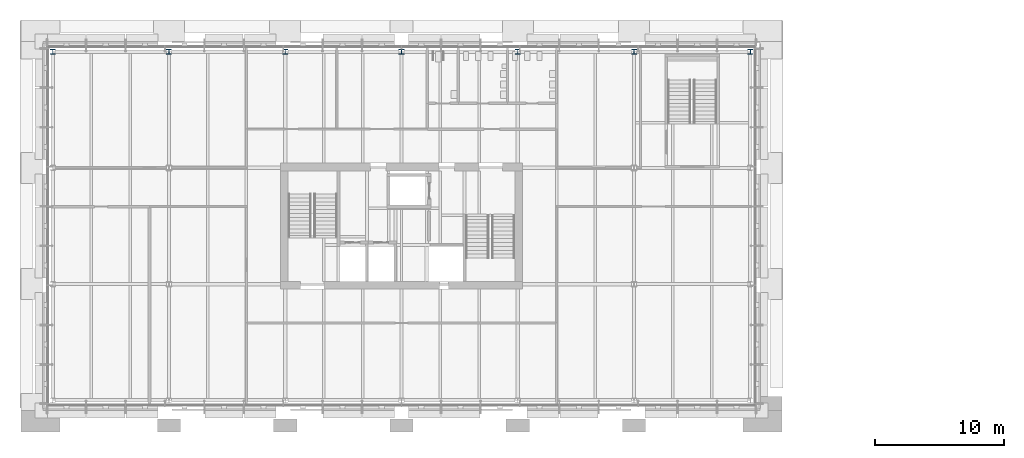
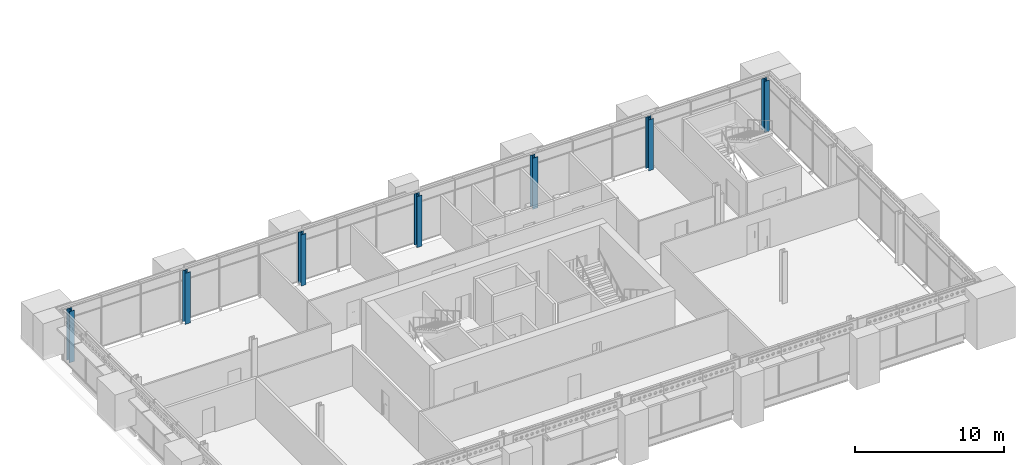
# One storey, part 18 of 153: 7 columns.
"""IFC4 building model written with IfcOpenShell, lengths in metres."""

from ifc_helpers import new_model, si_unit, direction, frame, origin, origin_2d, place, context, subcontext, project, spatial, i_section, extrude, material, material_profile, profile_set, type_object, element, save


model = new_model("IFC4")

# Units and contexts
model_context = context("Model", 3, precision=1e-05, world=origin(), true_north=direction((0.0, 1.0)))
body_context = subcontext(model_context, "Body", "Model", "MODEL_VIEW")
ifc_project = project(units=[si_unit("LENGTHUNIT", "METRE"), si_unit("AREAUNIT", "SQUARE_METRE"), si_unit("VOLUMEUNIT", "CUBIC_METRE"), si_unit("PLANEANGLEUNIT", "RADIAN"), si_unit("MASSUNIT", "GRAM", prefix="KILO")], contexts=[model_context])

# Site, building, storey
site_placement = place(None, origin())
site = spatial("IfcSite", under=ifc_project, at=site_placement, CompositionType="ELEMENT")
building_placement = place(site_placement, origin())
building = spatial("IfcBuilding", under=site, at=building_placement, Name="Baradari Gate Terminus", CompositionType="ELEMENT")
storey_placement = place(building_placement, frame((0.0, 0.0, 11.699951171875)))
storey = spatial("IfcBuildingStorey", under=building, at=storey_placement, Name="L02", CompositionType="ELEMENT", Elevation=11.699951171875)

# Columns
ifc_material = material(Name="Steel S355", Category="steel")
ifc_material_profile = material_profile(ifc_material, i_section(OverallWidth=0.394775390625, OverallDepth=0.381103515625, WebThickness=0.018310546875, FlangeThickness=0.0302734375, FilletRadius=0.01513671875, at=origin_2d()), Name="UC 356x406x235")
ifc_profile_set = profile_set([ifc_material_profile], Name="Steel S355")
column_type = type_object("IfcColumnType", Name="Operations block perimeter column C18 UC 356x406x235", PredefinedType="COLUMN", material=ifc_profile_set)
for number, where, z_axis, x_axis, name in (
    (1, (9.0, 144.0, 0.0), (0.0, 0.0, 1.0), (1.0, 0.0, 0.0), "C18 column 2-S L02"),
    (2, (18.0, 144.0, 0.0), (0.0, 0.0, 1.0), (1.0, 0.0, 0.0), "C18 column 3-S L02"),
    (3, (27.0, 144.0, 0.0), (0.0, 0.0, 1.0), (1.0, 0.0, 0.0), "C18 column 4-S L02"),
    (4, (36.0, 144.0, 0.0), (0.0, 0.0, 1.0), (1.0, 0.0, 0.0), "C18 column 5-S L02"),
    (5, (45.0, 144.0, 0.0), (0.0, 0.0, 1.0), (1.0, 0.0, 0.0), "C18 column 6-S L02"),
    (6, (54.0, 144.0, 0.0), (0.0, 0.0, 1.0), (1.0, 0.0, 0.0), "C18 column 7-S L02"),
    (7, (63.0, 144.0, 0.0), (0.0, 0.0, 1.0), (1.0, 0.0, 0.0), "C18 column 8-S L02"),
):
    element("IfcColumn", number, at=place(storey_placement, frame(where, z_axis=z_axis, x_axis=x_axis)), inside=storey, type_object=column_type, Name=name, PredefinedType="COLUMN", context=body_context, shape_type="SweptSolid", body=[
        extrude(i_section(OverallWidth=0.394775390625, OverallDepth=0.381103515625, WebThickness=0.018310546875, FlangeThickness=0.0302734375, FilletRadius=0.01513671875, at=origin_2d()), origin(), (0.0, 0.0, 1.0), 4.199951171875),
    ])

save(model, "model.ifc")
